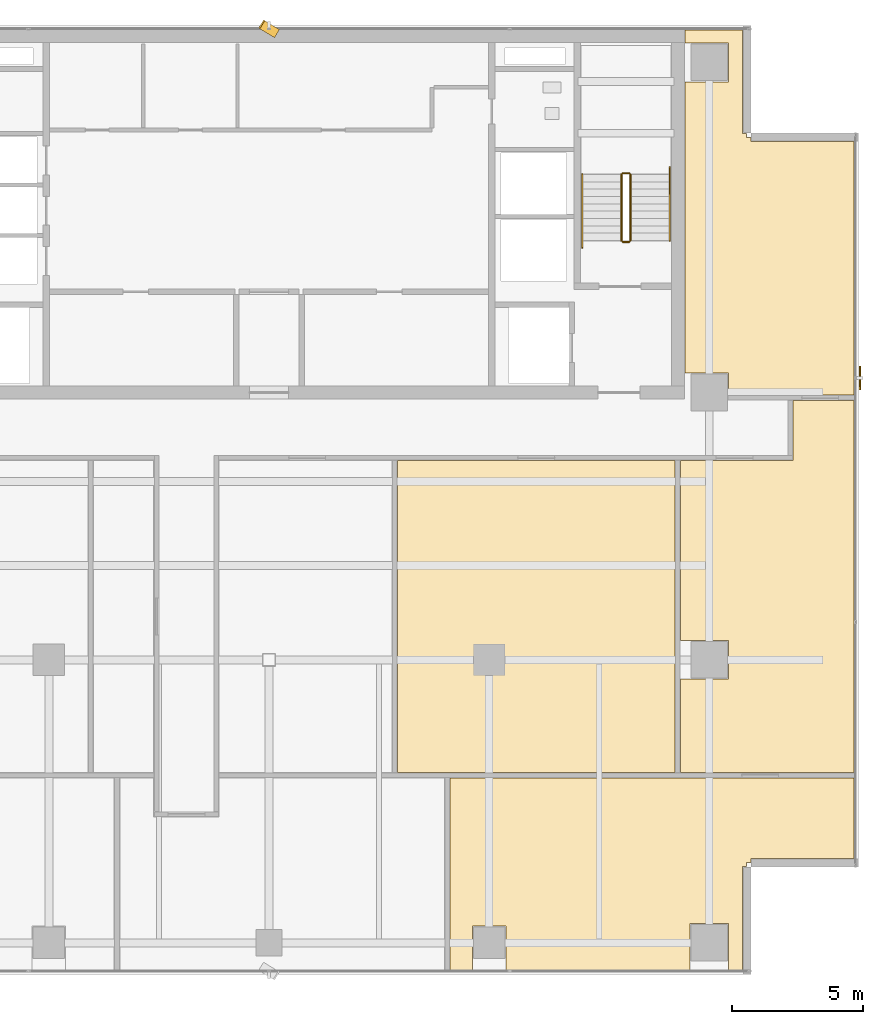
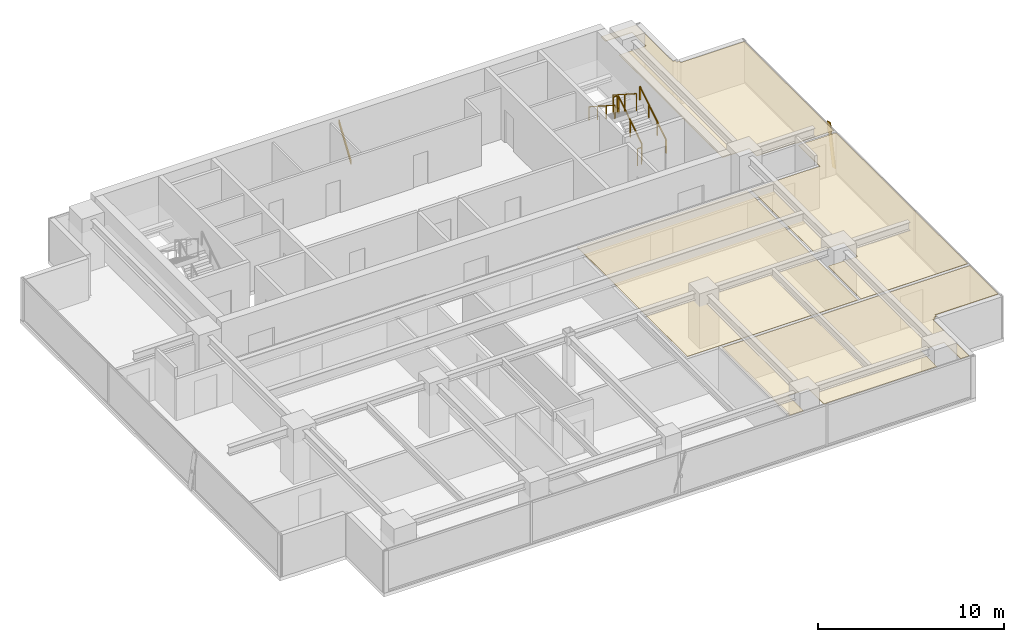
# One storey, part 24 of 25: 6 railings, 4 coverings, 2 shading devices.
"""IFC4 building model written with IfcOpenShell, lengths in metres."""

from ifc_helpers import new_model, si_unit, direction, frame, origin, origin_2d, place, context, subcontext, project, spatial, polyline, rectangle, outline, extrude, source, transform, mapped, material, layer, layer_set, material_profile, profile_set, type_object, element, save


model = new_model("IFC4")

# Units and contexts
model_context = context("Model", 3, precision=1e-05, world=origin(), true_north=direction((0.0, 1.0)))
body_context = subcontext(model_context, "Body", "Model", "MODEL_VIEW")
ifc_project = project(units=[si_unit("LENGTHUNIT", "METRE"), si_unit("AREAUNIT", "SQUARE_METRE"), si_unit("VOLUMEUNIT", "CUBIC_METRE"), si_unit("PLANEANGLEUNIT", "RADIAN"), si_unit("MASSUNIT", "GRAM", prefix="KILO")], contexts=[model_context])

# Site, building, storey
site_placement = place(None, origin())
site = spatial("IfcSite", under=ifc_project, at=site_placement, CompositionType="ELEMENT")
building_placement = place(site_placement, origin())
building = spatial("IfcBuilding", under=site, at=building_placement, Name="Sumidabori Civic Tower", CompositionType="ELEMENT")
storey_placement = place(building_placement, frame((0.0, 0.0, 268.39990234375)))
storey = spatial("IfcBuildingStorey", under=building, at=storey_placement, Name="L70", CompositionType="ELEMENT", Elevation=268.39990234375)

# Coverings
ifc_material_1 = material(Name="Acoustic Mineral Gypsum Ceiling Tile")
ifc_layer = layer(ifc_material_1, 0.034912109375, Name="Acoustic Mineral Gypsum Ceiling Tile")
ifc_layer_set = layer_set([ifc_layer], Name="Acoustic Mineral Gypsum Ceiling Tile")
covering_type = type_object("IfcCoveringType", Name="CV-CEIL-AC1", PredefinedType="CEILING", material=ifc_layer_set)
covering_1_placement = place(storey_placement, frame((0.0, 0.0, 2.72021484375)))
element("IfcCovering", 1, at=covering_1_placement, inside=storey, type_object=covering_type, Name="Room Acoustic Ceiling L70-02", PredefinedType="CEILING", context=body_context, shape_type="SweptSolid", body=[
    extrude(outline(polyline([(17.5400390625, 22.06005859375), (17.5400390625, 23.5400390625), (15.8779296875, 23.5400390625), (15.8779296875, 24.030029296875), (18.072021484375, 24.030029296875), (18.072021484375, 20.092041015625), (18.22998046875, 20.092041015625), (18.22998046875, 19.929931640625), (18.39208984375, 19.929931640625), (18.39208984375, 19.77197265625), (22.330078125, 19.77197265625), (22.330078125, 10.110107421875), (20.0, 10.110107421875), (20.0, 10.14990234375), (17.5400390625, 10.14990234375), (17.5400390625, 10.93994140625), (15.8779296875, 10.93994140625), (15.8779296875, 22.06005859375), (17.5400390625, 22.06005859375)])), origin(), (0.0, 0.0, 1.0), 0.034912109375),
])
covering_2_placement = place(storey_placement, frame((0.0, 0.0, 2.72021484375)))
element("IfcCovering", 2, at=covering_2_placement, inside=storey, type_object=covering_type, Name="Room Acoustic Ceiling L70-04", PredefinedType="CEILING", context=body_context, shape_type="SweptSolid", body=[
    extrude(outline(polyline([(15.7099609375, -0.739990234375), (17.5400390625, -0.739990234375), (17.5400390625, 0.739990234375), (15.7099609375, 0.739990234375), (15.7099609375, 7.60009765625), (20.0, 7.60009765625), (20.0, 9.889892578125), (22.330078125, 9.889892578125), (22.330078125, -4.2900390625), (15.7099609375, -4.2900390625), (15.7099609375, -0.739990234375)])), origin(), (0.0, 0.0, 1.0), 0.034912109375),
])
covering_3_placement = place(storey_placement, frame((0.0, 0.0, 2.72021484375)))
element("IfcCovering", 3, at=covering_3_placement, inside=storey, type_object=covering_type, Name="Room Acoustic Ceiling L70-08", PredefinedType="CEILING", context=body_context, shape_type="SweptSolid", body=[
    extrude(outline(polyline([(4.909912109375, 7.60009765625), (15.489990234375, 7.60009765625), (15.489990234375, -4.2900390625), (4.909912109375, -4.2900390625), (4.909912109375, 7.60009765625)])), origin(), (0.0, 0.0, 1.0), 0.034912109375),
])
covering_4_placement = place(storey_placement, frame((0.0, 0.0, 2.72021484375)))
element("IfcCovering", 4, at=covering_4_placement, inside=storey, type_object=covering_type, Name="Room Acoustic Ceiling L70-10", PredefinedType="CEILING", context=body_context, shape_type="SweptSolid", body=[
    extrude(outline(polyline([(22.330078125, -4.510009765625), (22.330078125, -7.572021484375), (18.39208984375, -7.572021484375), (18.39208984375, -7.72998046875), (18.22998046875, -7.72998046875), (18.22998046875, -7.89208984375), (18.072021484375, -7.89208984375), (18.072021484375, -11.830078125), (17.5400390625, -11.830078125), (17.5400390625, -10.06005859375), (16.06005859375, -10.06005859375), (16.06005859375, -11.830078125), (9.0400390625, -11.830078125), (9.0400390625, -10.159912109375), (7.760009765625, -10.159912109375), (7.760009765625, -11.830078125), (6.909912109375, -11.830078125), (6.909912109375, -4.510009765625), (22.330078125, -4.510009765625)])), origin(), (0.0, 0.0, 1.0), 0.034912109375),
])

# Railings
ifc_material_2 = material(Name="Stainless Steel Hairline Finish", Category="steel")
railing_type_1 = type_object("IfcRailingType", Name="RL-HANDRAIL", PredefinedType="HANDRAIL", material=ifc_material_2)
railing_1_placement = place(storey_placement, frame((15.2900390625, 16.0, 0.18017578125)))
element("IfcRailing", 5, at=railing_1_placement, inside=storey, type_object=railing_type_1, Name="L70 ST-2 stair handrail 1", PredefinedType="HANDRAIL", context=body_context, shape_type="SweptSolid", body=[
    extrude(rectangle(XDim=0.048095703125, YDim=0.048095703125, at=origin_2d()), frame((0.0, 0.0, 0.8759765625), z_axis=(0.0, 0.840675598268, 0.541539046124), x_axis=(-1.0, 0.0, 0.0)), (0.0, 0.0, 1.0), 3.330810546875),
    extrude(rectangle(XDim=0.0419921875, YDim=0.0419921875, at=origin_2d()), origin(), (0.0, 0.0, 1.0), 0.851806640625),
    extrude(rectangle(XDim=0.0419921875, YDim=0.0419921875, at=origin_2d()), frame((0.0, 0.933349609375, 0.601318359375)), (0.0, 0.0, 1.0), 0.851806640625),
    extrude(rectangle(XDim=0.0419921875, YDim=0.0419921875, at=origin_2d()), frame((0.0, 1.86669921875, 1.202392578125)), (0.0, 0.0, 1.0), 0.851806640625),
    extrude(rectangle(XDim=0.0419921875, YDim=0.0419921875, at=origin_2d()), frame((0.0, 2.800048828125, 1.8037109375)), (0.0, 0.0, 1.0), 0.851806640625),
])
railing_2_placement = place(storey_placement, frame((11.949951171875, 18.52001953125, 1.97998046875)))
element("IfcRailing", 6, at=railing_2_placement, inside=storey, type_object=railing_type_1, Name="L70 ST-2 stair handrail 2", PredefinedType="HANDRAIL", context=body_context, shape_type="SweptSolid", body=[
    extrude(rectangle(XDim=0.048095703125, YDim=0.048095703125, at=origin_2d()), frame((0.0, 0.0, 0.8759765625), z_axis=(0.0, -0.84064222762, 0.54159084662), x_axis=(1.0, 0.0, 0.0)), (0.0, 0.0, 1.0), 3.330810546875),
    extrude(rectangle(XDim=0.0419921875, YDim=0.0419921875, at=origin_2d()), origin(), (0.0, 0.0, 1.0), 0.851806640625),
    extrude(rectangle(XDim=0.0419921875, YDim=0.0419921875, at=origin_2d()), frame((0.0, -0.933349609375, 0.601318359375)), (0.0, 0.0, 1.0), 0.851806640625),
    extrude(rectangle(XDim=0.0419921875, YDim=0.0419921875, at=origin_2d()), frame((0.0, -1.86669921875, 1.20263671875)), (0.0, 0.0, 1.0), 0.851806640625),
    extrude(rectangle(XDim=0.0419921875, YDim=0.0419921875, at=origin_2d()), frame((0.0, -2.800048828125, 1.803955078125)), (0.0, 0.0, 1.0), 0.851806640625),
])
ifc_material_3 = material(Name="Steel SN490", Category="steel")
railing_type_2 = type_object("IfcRailingType", Name="RL-STAIR-GUARD", PredefinedType="GUARDRAIL", material=ifc_material_3)
railing_3_placement = place(storey_placement, frame((13.7900390625, 16.0, 0.18017578125)))
element("IfcRailing", 7, at=railing_3_placement, inside=storey, type_object=railing_type_2, Name="L70 ST-2 stair guard 1", PredefinedType="GUARDRAIL", context=body_context, shape_type="SweptSolid", body=[
    extrude(rectangle(XDim=0.048095703125, YDim=0.048095703125, at=origin_2d()), frame((0.0, 0.0, 1.1259765625), z_axis=(0.0, 0.841199657755, 0.540724639528), x_axis=(-1.0, 0.0, 0.0)), (0.0, 0.0, 1.0), 2.995849609375),
    extrude(rectangle(XDim=0.0419921875, YDim=0.0419921875, at=origin_2d()), origin(), (0.0, 0.0, 1.0), 1.101806640625),
    extrude(rectangle(XDim=0.0419921875, YDim=0.0419921875, at=origin_2d()), frame((0.0, 1.260009765625, 0.81005859375)), (0.0, 0.0, 1.0), 1.101806640625),
    extrude(rectangle(XDim=0.0419921875, YDim=0.0419921875, at=origin_2d()), frame((0.0, 2.52001953125, 1.619873046875)), (0.0, 0.0, 1.0), 1.101806640625),
])
railing_4_placement = place(storey_placement, frame((13.739990234375, 18.570068359375, 1.800048828125)))
element("IfcRailing", 8, at=railing_4_placement, inside=storey, type_object=railing_type_2, Name="L70 ST-2 stair guard 2", PredefinedType="GUARDRAIL", context=body_context, shape_type="SweptSolid", body=[
    extrude(rectangle(XDim=0.048095703125, YDim=0.048095703125, at=origin_2d()), frame((0.0, 0.0, 1.1259765625), z_axis=(-1.0, 0.0, 0.0), x_axis=(0.0, -1.0, 0.0)), (0.0, 0.0, 1.0), 0.239990234375),
    extrude(rectangle(XDim=0.0419921875, YDim=0.0419921875, at=origin_2d()), origin(), (0.0, 0.0, 1.0), 1.101806640625),
    extrude(rectangle(XDim=0.0419921875, YDim=0.0419921875, at=origin_2d()), frame((-0.239990234375, 0.0, 0.0)), (0.0, 0.0, 1.0), 1.101806640625),
])
railing_5_placement = place(storey_placement, frame((13.449951171875, 18.52001953125, 1.97998046875)))
element("IfcRailing", 9, at=railing_5_placement, inside=storey, type_object=railing_type_2, Name="L70 ST-2 stair guard 3", PredefinedType="GUARDRAIL", context=body_context, shape_type="SweptSolid", body=[
    extrude(rectangle(XDim=0.048095703125, YDim=0.048095703125, at=origin_2d()), frame((0.0, 0.0, 1.1259765625), z_axis=(0.0, -0.841162588446, 0.540782303519), x_axis=(1.0, 0.0, 0.0)), (0.0, 0.0, 1.0), 2.995849609375),
    extrude(rectangle(XDim=0.0419921875, YDim=0.0419921875, at=origin_2d()), origin(), (0.0, 0.0, 1.0), 1.101806640625),
    extrude(rectangle(XDim=0.0419921875, YDim=0.0419921875, at=origin_2d()), frame((0.0, -1.260009765625, 0.81005859375)), (0.0, 0.0, 1.0), 1.101806640625),
    extrude(rectangle(XDim=0.0419921875, YDim=0.0419921875, at=origin_2d()), frame((0.0, -2.52001953125, 1.6201171875)), (0.0, 0.0, 1.0), 1.101806640625),
])
railing_6_placement = place(storey_placement, frame((13.739990234375, 15.949951171875, 0.0)))
element("IfcRailing", 10, at=railing_6_placement, inside=storey, type_object=railing_type_2, Name="L70 ST-2 stair guard 4", PredefinedType="GUARDRAIL", context=body_context, shape_type="SweptSolid", body=[
    extrude(rectangle(XDim=0.048095703125, YDim=0.048095703125, at=origin_2d()), frame((0.0, 0.0, 1.1259765625), z_axis=(-1.0, 0.0, 0.0), x_axis=(0.0, -1.0, 0.0)), (0.0, 0.0, 1.0), 0.239990234375),
    extrude(rectangle(XDim=0.0419921875, YDim=0.0419921875, at=origin_2d()), origin(), (0.0, 0.0, 1.0), 1.101806640625),
    extrude(rectangle(XDim=0.0419921875, YDim=0.0419921875, at=origin_2d()), frame((-0.239990234375, 0.0, 0.0)), (0.0, 0.0, 1.0), 1.101806640625),
])

# Shading devices
ifc_material_4 = material(Name="Anodised Bronze Aluminium AW-6063-T6", Category="aluminium")
ifc_material_profile = material_profile(ifc_material_4, rectangle(XDim=0.054931640625, YDim=0.360107421875, at=origin_2d()), Name="BRONZE FIN 360x55")
ifc_profile_set = profile_set([ifc_material_profile], Name="Anodised Bronze Aluminium AW-6063-T6")
shading_device_type = type_object("IfcShadingDeviceType", Name="SH-FIN-360", PredefinedType="USERDEFINED", material=ifc_profile_set)
shared_shape_1 = source(origin(), body_context, "Body", "SweptSolid", [
    extrude(rectangle(XDim=0.054931640625, YDim=0.360107421875, at=origin_2d()), origin(), (0.0, 0.0, 1.0), 2.768798828125),
])
shading_device_1_placement = place(storey_placement, frame((0.280029296875, 23.909912109375, 0.02001953125), z_axis=(-0.202272600211, 0.122827258978, 0.971596243126), x_axis=(0.830473922694, -0.504293885925, 0.236644755582)))
element("IfcShadingDevice", 11, at=shading_device_1_placement, inside=storey, type_object=shading_device_type, Name="Bronze Anodised Diagonal Fin L70-02", ObjectType="FIN", PredefinedType="USERDEFINED", context=body_context, shape_type="MappedRepresentation", body=[
    mapped(shared_shape_1, transform((0.0, 0.0, 0.0), x_axis=(1.0, 0.0, 0.0), y_axis=(0.0, 1.0, 0.0), z_axis=(0.0, 0.0, 1.0), scale=1.0)),
])
shared_shape_2 = source(origin(), body_context, "Body", "SweptSolid", [
    extrude(rectangle(XDim=0.054931640625, YDim=0.360107421875, at=origin_2d()), origin(), (0.0, 0.0, 1.0), 2.747802734375),
])
shading_device_2_placement = place(storey_placement, frame((22.550048828125, 10.476806640625, 0.02001953125), z_axis=(0.0, 0.203730721899, 0.979026962323), x_axis=(-1.0, 0.0, 0.0)))
element("IfcShadingDevice", 12, at=shading_device_2_placement, inside=storey, type_object=shading_device_type, Name="Bronze Anodised Diagonal Fin L70-02", ObjectType="FIN", PredefinedType="USERDEFINED", context=body_context, shape_type="MappedRepresentation", body=[
    mapped(shared_shape_2, transform((0.0, 0.0, 0.0), x_axis=(1.0, 0.0, 0.0), y_axis=(0.0, 1.0, 0.0), z_axis=(0.0, 0.0, 1.0), scale=1.0)),
])

save(model, "model.ifc")
